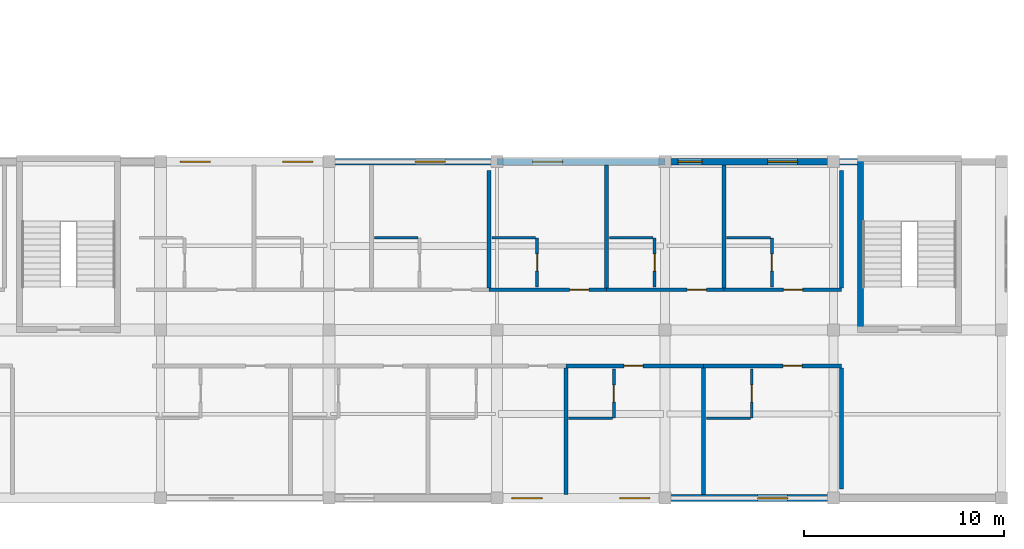
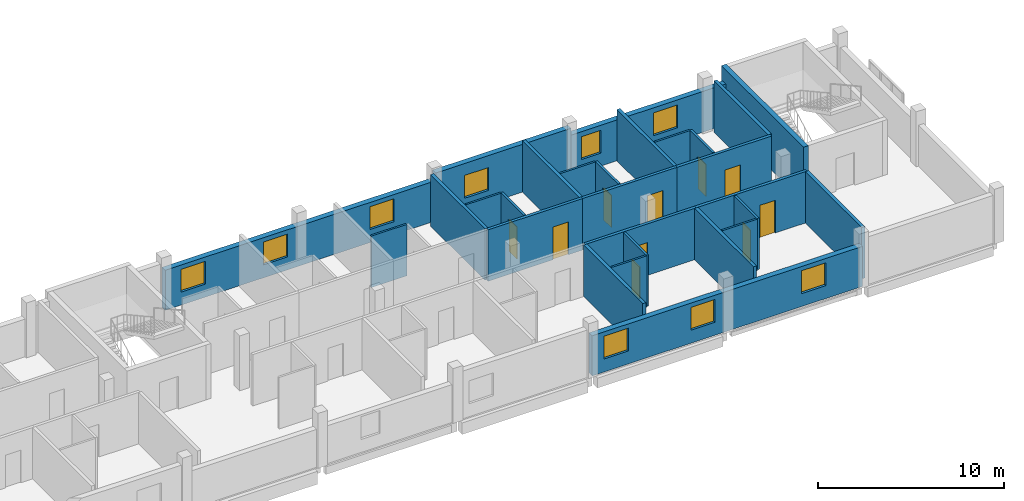
# One storey, part 19 of 24: 28 walls, 10 doors, 9 windows, 19 openings.
"""IFC4 building model written with IfcOpenShell, lengths in metres."""

import ifcopenshell
import ifcopenshell.guid

model = None  # the IFC model being written
_history = None  # IfcOwnerHistory: only IFC2X3 demands one
_inside = {}  # id of a spatial element -> (the spatial element, [elements in it])
_under = {}  # id of a project, library or spatial element -> (it, [spatial elements below it])
_declared = {}  # id of a project -> (the project, [libraries it declares])
_typed = {}  # id of a type object -> (the type object, [elements of that type])
_made_of = {}  # id of a material, layer set ... -> (it, [elements and type objects made of it])


def new_model(schema):
    """Start an empty IFC model of exactly this schema.

    Asked for "IFC4X3", IfcOpenShell would pick the latest addendum, in which some entities
    have other attributes; the version numbers below select the first issue.
    IFC2X3 requires an IfcOwnerHistory on every rooted entity: one is made here for all.
    """
    global model, _history
    if schema == "IFC4X3":
        model = ifcopenshell.file(schema_version=(4, 3, 0, 0))
    else:
        model = ifcopenshell.file(schema=schema)
    _inside.clear()
    _under.clear()
    _declared.clear()
    _typed.clear()
    _made_of.clear()
    _history = None
    if model.schema == "IFC2X3":
        org = make("IfcOrganization", Name="unknown")
        user = make(
            "IfcPersonAndOrganization",
            ThePerson=make("IfcPerson", FamilyName="unknown"),
            TheOrganization=org,
        )
        app = make(
            "IfcApplication",
            ApplicationDeveloper=org,
            Version="unknown",
            ApplicationFullName="unknown",
            ApplicationIdentifier="unknown",
        )
        _history = make(
            "IfcOwnerHistory",
            OwningUser=user,
            OwningApplication=app,
            ChangeAction="ADDED",
            CreationDate=0,
        )
    return model


def make(cls, **values):
    """One entity of the class cls with the attributes given. An attribute that is None is left unset."""
    return model.create_entity(
        cls, **{name: value for name, value in values.items() if value is not None}
    )


def rooted(cls, **values):
    """An entity with a GlobalId (a new one), such as an element, a storey or a relation."""
    return make(cls, GlobalId=ifcopenshell.guid.new(), OwnerHistory=_history, **values)


def si_unit(unit_type, name, prefix=None):
    """IfcSIUnit, for example si_unit("LENGTHUNIT", "METRE", prefix="MILLI")."""
    return make("IfcSIUnit", UnitType=unit_type, Prefix=prefix, Name=name)


def derived_unit(unit_type, elements):
    """IfcDerivedUnit: a product of units, each with its exponent."""
    return make(
        "IfcDerivedUnit",
        Elements=[
            make("IfcDerivedUnitElement", Unit=unit, Exponent=power)
            for unit, power in elements
        ],
        UnitType=unit_type,
    )


def assignment(units):
    """IfcUnitAssignment: the units of a project."""
    return None if units is None else make("IfcUnitAssignment", Units=units)


def point(xyz):
    """IfcCartesianPoint."""
    return None if xyz is None else make("IfcCartesianPoint", Coordinates=xyz)


def direction(xyz):
    """IfcDirection."""
    return None if xyz is None else make("IfcDirection", DirectionRatios=xyz)


def frame(location, z_axis=None, x_axis=None):
    """IfcAxis2Placement3D, a coordinate frame: its origin and axes. An axis left out is left unset."""
    return make(
        "IfcAxis2Placement3D",
        Location=point(location),
        Axis=direction(z_axis),
        RefDirection=direction(x_axis),
    )


def frame_2d(location, x_axis=None):
    """IfcAxis2Placement2D, a coordinate frame in the plane: its origin and x axis."""
    return make(
        "IfcAxis2Placement2D", Location=point(location), RefDirection=direction(x_axis)
    )


def origin():
    """The frame at (0, 0, 0) with its axes left unset."""
    return frame((0.0, 0.0, 0.0))


def place(relative_to, where):
    """IfcLocalPlacement: puts the frame where relative to a parent placement (None: the world)."""
    return make(
        "IfcLocalPlacement", PlacementRelTo=relative_to, RelativePlacement=where
    )


def context(
    kind, dimensions, precision=None, world=None, true_north=None, identifier=None
):
    """IfcGeometricRepresentationContext, for example the 3D "Model" context."""
    return make(
        "IfcGeometricRepresentationContext",
        ContextIdentifier=identifier,
        ContextType=kind,
        CoordinateSpaceDimension=dimensions,
        Precision=precision,
        WorldCoordinateSystem=world,
        TrueNorth=true_north,
    )


def subcontext(parent, identifier, kind, view, scale=None):
    """IfcGeometricRepresentationSubContext, for example "Body" below "Model"."""
    return make(
        "IfcGeometricRepresentationSubContext",
        ContextIdentifier=identifier,
        ContextType=kind,
        ParentContext=parent,
        TargetScale=scale,
        TargetView=view,
    )


def project(units=None, contexts=None):
    """IfcProject with its units and contexts."""
    return rooted(
        "IfcProject",
        Name="project",
        RepresentationContexts=contexts,
        UnitsInContext=assignment(units),
    )


def spatial(cls, under=None, at=None, **own):
    """A site, building, storey or space (cls), placed at a placement, below another one or the project."""
    s = rooted(cls, ObjectPlacement=at, **own)
    if under is not None:
        _under.setdefault(under.id(), (under, []))[1].append(s)
    return s


def profile(cls, at=None, kind="AREA", **sizes):
    """A parametric profile (cls). Its sizes go by their IFC names, for example OverallWidth=200.0."""
    return make(cls, ProfileType=kind, Position=at, **sizes)


def rectangle(**sizes):
    """IfcRectangleProfileDef."""
    return profile("IfcRectangleProfileDef", **sizes)


def extrude(swept, where, along, depth):
    """IfcExtrudedAreaSolid: the profile swept, set in the frame where, extruded along a direction by depth."""
    return make(
        "IfcExtrudedAreaSolid",
        SweptArea=swept,
        Position=where,
        ExtrudedDirection=direction(along),
        Depth=depth,
    )


def shape(context_of_items, identifier, shape_type, items):
    """IfcShapeRepresentation: the items that make up one representation, for example the "Body"."""
    return make(
        "IfcShapeRepresentation",
        ContextOfItems=context_of_items,
        RepresentationIdentifier=identifier,
        RepresentationType=shape_type,
        Items=items,
    )


def material(Name=None, Category=None):
    """IfcMaterial."""
    return make("IfcMaterial", Name=Name, Category=Category)


def layer(
    of_material, thickness, ventilated=None, Name=None, Category=None, Priority=None
):
    """IfcMaterialLayer: one layer of a wall or slab, of a material (None: an air gap)."""
    return make(
        "IfcMaterialLayer",
        Material=of_material,
        LayerThickness=thickness,
        IsVentilated=ventilated,
        Name=Name,
        Category=Category,
        Priority=Priority,
    )


def layer_set(layers, Name=None):
    """IfcMaterialLayerSet."""
    return make("IfcMaterialLayerSet", MaterialLayers=layers, LayerSetName=Name)


def made_of(thing, what):
    """Note that an element or type object is made of a material, layer set ...; save() writes the relation."""
    if what is not None:
        _made_of.setdefault(what.id(), (what, []))[1].append(thing)
    return thing


def type_object(cls, material=None, **own):
    """A type object (cls), such as IfcWallType, which elements share."""
    return made_of(rooted(cls, **own), material)


def element(
    cls,
    number,
    at=None,
    inside=None,
    cuts=None,
    type_object=None,
    material=None,
    context=None,
    identifier="Body",
    shape_type=None,
    held_by="IfcProductDefinitionShape",
    body=None,
    shapes=None,
    **own,
):
    """One element of the class cls, such as IfcWall. Its Tag is "e" and its number.

    at: its placement. inside: the storey or other place that contains it. cuts: it is an
    opening in that element (IfcRelVoidsElement). A single representation is given by context,
    identifier, shape_type and body (its items); several are given by shapes. held_by: the class
    of the entity that holds the representations. save() writes the other relations.
    """
    e = rooted(cls, Tag="e%d" % number, ObjectPlacement=at, **own)
    if body is not None:
        shapes = [shape(context, identifier, shape_type, body)]
    if shapes is not None:
        e.Representation = make(held_by, Representations=shapes)
    if inside is not None:
        _inside.setdefault(inside.id(), (inside, []))[1].append(e)
    if cuts is not None:
        rooted(
            "IfcRelVoidsElement", RelatingBuildingElement=cuts, RelatedOpeningElement=e
        )
    if type_object is not None:
        _typed.setdefault(type_object.id(), (type_object, []))[1].append(e)
    return made_of(e, material)


def fill(opening, filler):
    """IfcRelFillsElement: the door or window that sits in an opening."""
    return rooted(
        "IfcRelFillsElement",
        RelatingOpeningElement=opening,
        RelatedBuildingElement=filler,
    )


def aggregate(whole, parts):
    """IfcRelAggregates: a whole, such as a stair, and the parts it consists of."""
    return rooted("IfcRelAggregates", RelatingObject=whole, RelatedObjects=parts)


def save(model, path):
    """Write the relations noted so far, then the file.

    IfcRelAggregates (storeys below a building ...), IfcRelContainedInSpatialStructure (elements
    in a storey), IfcRelDefinesByType, IfcRelAssociatesMaterial and IfcRelDeclares: one each for
    every whole, place, type object, material and project.
    """
    for whole, parts in _under.values():
        aggregate(whole, parts)
    for where, things in _inside.values():
        rooted(
            "IfcRelContainedInSpatialStructure",
            RelatedElements=things,
            RelatingStructure=where,
        )
    for kind, things in _typed.values():
        rooted("IfcRelDefinesByType", RelatedObjects=things, RelatingType=kind)
    for what, things in _made_of.values():
        rooted("IfcRelAssociatesMaterial", RelatedObjects=things, RelatingMaterial=what)
    for by, libraries in _declared.values():
        rooted("IfcRelDeclares", RelatingContext=by, RelatedDefinitions=libraries)
    model.write(path)


model = new_model("IFC4")

# Units and contexts
model_context = context("Model", 3, precision=1e-05, world=origin(), true_north=direction((0.0, 1.0)))
body_context = subcontext(model_context, "Body", "Model", "MODEL_VIEW")
ifc_project = project(units=[si_unit("LENGTHUNIT", "METRE"), si_unit("AREAUNIT", "SQUARE_METRE"), si_unit("VOLUMEUNIT", "CUBIC_METRE"), si_unit("PLANEANGLEUNIT", "RADIAN"), si_unit("MASSUNIT", "GRAM", prefix="KILO"), derived_unit("THERMALTRANSMITTANCEUNIT", [(si_unit("POWERUNIT", "WATT"), 1), (si_unit("LENGTHUNIT", "METRE"), -2), (si_unit("THERMODYNAMICTEMPERATUREUNIT", "KELVIN"), -1)])], contexts=[model_context])

# Site, building, storey
site_placement = place(None, origin())
site = spatial("IfcSite", under=ifc_project, at=site_placement, CompositionType="ELEMENT")
building_placement = place(site_placement, origin())
building = spatial("IfcBuilding", under=site, at=building_placement, Name="Barrovel Congress Hotel", CompositionType="ELEMENT")
storey_placement = place(building_placement, frame((0.0, 0.0, 29.10009765625)))
storey = spatial("IfcBuildingStorey", under=building, at=storey_placement, Name="L07", CompositionType="ELEMENT", Elevation=29.10009765625)

# Wall, openings, windows
ifc_material_1 = material(Name="Fired Clay Brick Masonry", Category="masonry")
ifc_layer_1 = layer(ifc_material_1, 0.340087890625)
ifc_layer_set_1 = layer_set([ifc_layer_1], Name="Fired Clay Brick Masonry")
wall_type_1 = type_object("IfcWallType", Name="EW-BRK340", PredefinedType="STANDARD", material=ifc_layer_set_1)
wall_1_placement = place(storey_placement, frame((126.0, 21.0, 0.0), z_axis=(0.0, 0.0, 1.0), x_axis=(-1.0, 0.0, 0.0)))
wall_1 = element("IfcWall", 1, at=wall_1_placement, inside=storey, type_object=wall_type_1, Name="EW:L07:HS-NE-2", PredefinedType="STANDARD", context=body_context, shape_type="SweptSolid", body=[
    extrude(rectangle(XDim=16.800048828125, YDim=0.340087890625, at=frame_2d((8.39990234375, 0.0))), origin(), (0.0, 0.0, 1.0), 2.6298828125),
])
opening_1_placement = place(wall_1_placement, frame((14.316650390625, 0.0, 0.85009765625)))
opening_1 = element("IfcOpeningElement", 2, at=opening_1_placement, cuts=wall_1, Name="Opening WN-07", PredefinedType="OPENING", context=body_context, shape_type="SweptSolid", body=[
    extrude(rectangle(XDim=1.5, YDim=1.5, at=frame_2d((0.75, 0.75))), frame((0.0, 0.18017578125, 0.0), z_axis=(0.0, -1.0, 0.0), x_axis=(1.0, 0.0, 0.0)), (0.0, 0.0, 1.0), 0.360107421875),
])
opening_2_placement = place(wall_1_placement, frame((9.199951171875, 0.0, 0.85009765625)))
opening_2 = element("IfcOpeningElement", 3, at=opening_2_placement, cuts=wall_1, Name="Opening WN-07", PredefinedType="OPENING", context=body_context, shape_type="SweptSolid", body=[
    extrude(rectangle(XDim=1.5, YDim=1.5, at=frame_2d((0.75, 0.75))), frame((0.0, 0.18017578125, 0.0), z_axis=(0.0, -1.0, 0.0), x_axis=(1.0, 0.0, 0.0)), (0.0, 0.0, 1.0), 0.360107421875),
])
opening_3_placement = place(wall_1_placement, frame((2.583251953125, 0.0, 0.85009765625)))
opening_3 = element("IfcOpeningElement", 4, at=opening_3_placement, cuts=wall_1, Name="Opening WN-07", PredefinedType="OPENING", context=body_context, shape_type="SweptSolid", body=[
    extrude(rectangle(XDim=1.5, YDim=1.5, at=frame_2d((0.75, 0.75))), frame((0.0, 0.18017578125, 0.0), z_axis=(0.0, -1.0, 0.0), x_axis=(1.0, 0.0, 0.0)), (0.0, 0.0, 1.0), 0.360107421875),
])
ifc_material_2 = material(Name="Double Low-E Insulated Glazing", Category="glass")
window_type_1 = type_object("IfcWindowType", Name="WIN-WN-07", PartitioningType="SINGLE_PANEL", PredefinedType="WINDOW", material=ifc_material_2)
window_1_placement = place(opening_1_placement, origin())
window_1 = element("IfcWindow", 5, at=window_1_placement, inside=storey, type_object=window_type_1, Name="WIN:L07:U22", OverallHeight=1.5, OverallWidth=1.5, PartitioningType="SINGLE_PANEL", PredefinedType="WINDOW", context=body_context, shape_type="SweptSolid", body=[
    extrude(rectangle(XDim=1.5, YDim=1.5, at=frame_2d((0.75, 0.75))), frame((0.0, 0.030029296875, 0.0), z_axis=(0.0, -1.0, 0.0), x_axis=(1.0, 0.0, 0.0)), (0.0, 0.0, 1.0), 0.06005859375),
])
fill(opening_1, window_1)
window_2_placement = place(opening_2_placement, origin())
window_2 = element("IfcWindow", 6, at=window_2_placement, inside=storey, type_object=window_type_1, Name="WIN:L07:U23", OverallHeight=1.5, OverallWidth=1.5, PartitioningType="SINGLE_PANEL", PredefinedType="WINDOW", context=body_context, shape_type="SweptSolid", body=[
    extrude(rectangle(XDim=1.5, YDim=1.5, at=frame_2d((0.75, 0.75))), frame((0.0, 0.030029296875, 0.0), z_axis=(0.0, -1.0, 0.0), x_axis=(1.0, 0.0, 0.0)), (0.0, 0.0, 1.0), 0.06005859375),
])
fill(opening_2, window_2)
window_3_placement = place(opening_3_placement, origin())
window_3 = element("IfcWindow", 7, at=window_3_placement, inside=storey, type_object=window_type_1, Name="WIN:L07:U24", OverallHeight=1.5, OverallWidth=1.5, PartitioningType="SINGLE_PANEL", PredefinedType="WINDOW", context=body_context, shape_type="SweptSolid", body=[
    extrude(rectangle(XDim=1.5, YDim=1.5, at=frame_2d((0.75, 0.75))), frame((0.0, 0.030029296875, 0.0), z_axis=(0.0, -1.0, 0.0), x_axis=(1.0, 0.0, 0.0)), (0.0, 0.0, 1.0), 0.06005859375),
])
fill(opening_3, window_3)

wall_2_placement = place(storey_placement, frame((126.0, 4.199951171875, 0.0), z_axis=(0.0, 0.0, 1.0), x_axis=(1.0, 0.0, 0.0)))
wall_2 = element("IfcWall", 8, at=wall_2_placement, inside=storey, type_object=wall_type_1, Name="EW:L07:HS-S:P12", PredefinedType="STANDARD", context=body_context, shape_type="SweptSolid", body=[
    extrude(rectangle(XDim=16.800048828125, YDim=0.340087890625, at=frame_2d((8.39990234375, 0.0))), origin(), (0.0, 0.0, 1.0), 2.6298828125),
])
opening_4_placement = place(wall_2_placement, frame((0.75, 0.0, 0.85009765625)))
opening_4 = element("IfcOpeningElement", 9, at=opening_4_placement, cuts=wall_2, Name="Opening WN-07", PredefinedType="OPENING", context=body_context, shape_type="SweptSolid", body=[
    extrude(rectangle(XDim=1.5, YDim=1.5, at=frame_2d((0.75, 0.75))), frame((0.0, 0.18017578125, 0.0), z_axis=(0.0, -1.0, 0.0), x_axis=(1.0, 0.0, 0.0)), (0.0, 0.0, 1.0), 0.360107421875),
])
opening_5_placement = place(wall_2_placement, frame((6.1298828125, 0.0, 0.85009765625)))
opening_5 = element("IfcOpeningElement", 10, at=opening_5_placement, cuts=wall_2, Name="Opening WN-07", PredefinedType="OPENING", context=body_context, shape_type="SweptSolid", body=[
    extrude(rectangle(XDim=1.5, YDim=1.5, at=frame_2d((0.75, 0.75))), frame((0.0, 0.18017578125, 0.0), z_axis=(0.0, -1.0, 0.0), x_axis=(1.0, 0.0, 0.0)), (0.0, 0.0, 1.0), 0.360107421875),
])
opening_6_placement = place(wall_2_placement, frame((13.010009765625, 0.0, 0.85009765625)))
opening_6 = element("IfcOpeningElement", 11, at=opening_6_placement, cuts=wall_2, Name="Opening WN-07", PredefinedType="OPENING", context=body_context, shape_type="SweptSolid", body=[
    extrude(rectangle(XDim=1.5, YDim=1.5, at=frame_2d((0.75, 0.75))), frame((0.0, 0.18017578125, 0.0), z_axis=(0.0, -1.0, 0.0), x_axis=(1.0, 0.0, 0.0)), (0.0, 0.0, 1.0), 0.360107421875),
])
window_4_placement = place(opening_4_placement, origin())
window_4 = element("IfcWindow", 12, at=window_4_placement, inside=storey, type_object=window_type_1, Name="WIN:L07:U16", OverallHeight=1.5, OverallWidth=1.5, PartitioningType="SINGLE_PANEL", PredefinedType="WINDOW", context=body_context, shape_type="SweptSolid", body=[
    extrude(rectangle(XDim=1.5, YDim=1.5, at=frame_2d((0.75, 0.75))), frame((0.0, 0.030029296875, 0.0), z_axis=(0.0, -1.0, 0.0), x_axis=(1.0, 0.0, 0.0)), (0.0, 0.0, 1.0), 0.06005859375),
])
fill(opening_4, window_4)
window_5_placement = place(opening_5_placement, origin())
window_5 = element("IfcWindow", 13, at=window_5_placement, inside=storey, type_object=window_type_1, Name="WIN:L07:U17", OverallHeight=1.5, OverallWidth=1.5, PartitioningType="SINGLE_PANEL", PredefinedType="WINDOW", context=body_context, shape_type="SweptSolid", body=[
    extrude(rectangle(XDim=1.5, YDim=1.5, at=frame_2d((0.75, 0.75))), frame((0.0, 0.030029296875, 0.0), z_axis=(0.0, -1.0, 0.0), x_axis=(1.0, 0.0, 0.0)), (0.0, 0.0, 1.0), 0.06005859375),
])
fill(opening_5, window_5)
window_6_placement = place(opening_6_placement, origin())
window_6 = element("IfcWindow", 14, at=window_6_placement, inside=storey, type_object=window_type_1, Name="WIN:L07:U18", OverallHeight=1.5, OverallWidth=1.5, PartitioningType="SINGLE_PANEL", PredefinedType="WINDOW", context=body_context, shape_type="SweptSolid", body=[
    extrude(rectangle(XDim=1.5, YDim=1.5, at=frame_2d((0.75, 0.75))), frame((0.0, 0.030029296875, 0.0), z_axis=(0.0, -1.0, 0.0), x_axis=(1.0, 0.0, 0.0)), (0.0, 0.0, 1.0), 0.06005859375),
])
fill(opening_6, window_6)

wall_3_placement = place(storey_placement, frame((144.0, 21.0, 0.0), z_axis=(0.0, 0.0, 1.0), x_axis=(-1.0, 0.0, 0.0)))
wall_3 = element("IfcWall", 15, at=wall_3_placement, inside=storey, type_object=wall_type_1, Name="EW:L07:HS-NE-2:P01", PredefinedType="STANDARD", context=body_context, shape_type="SweptSolid", body=[
    extrude(rectangle(XDim=9.60009765625, YDim=0.340087890625, at=frame_2d((4.800048828125, 0.0))), origin(), (0.0, 0.0, 1.0), 2.679931640625),
])
opening_7_placement = place(wall_3_placement, frame((7.75, 0.0, 0.85009765625)))
opening_7 = element("IfcOpeningElement", 16, at=opening_7_placement, cuts=wall_3, Name="Opening WN-06", PredefinedType="OPENING", context=body_context, shape_type="SweptSolid", body=[
    extrude(rectangle(XDim=1.199951171875, YDim=1.5, at=frame_2d((0.60009765625, 0.75))), frame((0.0, 0.18017578125, 0.0), z_axis=(0.0, -1.0, 0.0), x_axis=(1.0, 0.0, 0.0)), (0.0, 0.0, 1.0), 0.360107421875),
])
opening_8_placement = place(wall_3_placement, frame((2.9833984375, 0.0, 0.85009765625)))
opening_8 = element("IfcOpeningElement", 17, at=opening_8_placement, cuts=wall_3, Name="Opening WN-07", PredefinedType="OPENING", context=body_context, shape_type="SweptSolid", body=[
    extrude(rectangle(XDim=1.5, YDim=1.5, at=frame_2d((0.75, 0.75))), frame((0.0, 0.18017578125, 0.0), z_axis=(0.0, -1.0, 0.0), x_axis=(1.0, 0.0, 0.0)), (0.0, 0.0, 1.0), 0.360107421875),
])
window_type_2 = type_object("IfcWindowType", Name="WIN-WN-06", PartitioningType="SINGLE_PANEL", PredefinedType="WINDOW", material=ifc_material_2)
window_7_placement = place(opening_7_placement, origin())
window_7 = element("IfcWindow", 18, at=window_7_placement, inside=storey, type_object=window_type_2, Name="WIN:L07:U26", OverallHeight=1.5, OverallWidth=1.199951171875, PartitioningType="SINGLE_PANEL", PredefinedType="WINDOW", context=body_context, shape_type="SweptSolid", body=[
    extrude(rectangle(XDim=1.199951171875, YDim=1.5, at=frame_2d((0.60009765625, 0.75))), frame((0.0, 0.030029296875, 0.0), z_axis=(0.0, -1.0, 0.0), x_axis=(1.0, 0.0, 0.0)), (0.0, 0.0, 1.0), 0.06005859375),
])
fill(opening_7, window_7)
window_8_placement = place(opening_8_placement, origin())
window_8 = element("IfcWindow", 19, at=window_8_placement, inside=storey, type_object=window_type_1, Name="WIN:L07:U27", OverallHeight=1.5, OverallWidth=1.5, PartitioningType="SINGLE_PANEL", PredefinedType="WINDOW", context=body_context, shape_type="SweptSolid", body=[
    extrude(rectangle(XDim=1.5, YDim=1.5, at=frame_2d((0.75, 0.75))), frame((0.0, 0.030029296875, 0.0), z_axis=(0.0, -1.0, 0.0), x_axis=(1.0, 0.0, 0.0)), (0.0, 0.0, 1.0), 0.06005859375),
])
fill(opening_8, window_8)

# Wall, opening, window
wall_4_placement = place(storey_placement, frame((134.39990234375, 21.0, 0.0), z_axis=(0.0, 0.0, 1.0), x_axis=(-1.0, 0.0, 0.0)))
wall_4 = element("IfcWall", 20, at=wall_4_placement, inside=storey, type_object=wall_type_1, Name="EW:L07:HS-NE-2:P02", PredefinedType="STANDARD", context=body_context, shape_type="SweptSolid", body=[
    extrude(rectangle(XDim=8.39990234375, YDim=0.340087890625, at=frame_2d((4.199951171875, 0.0))), origin(), (0.0, 0.0, 1.0), 3.1328125),
])
opening_9_placement = place(wall_4_placement, frame((5.11669921875, 0.0, 0.85009765625)))
opening_9 = element("IfcOpeningElement", 21, at=opening_9_placement, cuts=wall_4, Name="Opening WN-07", PredefinedType="OPENING", context=body_context, shape_type="SweptSolid", body=[
    extrude(rectangle(XDim=1.5, YDim=1.5, at=frame_2d((0.75, 0.75))), frame((0.0, 0.18017578125, 0.0), z_axis=(0.0, -1.0, 0.0), x_axis=(1.0, 0.0, 0.0)), (0.0, 0.0, 1.0), 0.360107421875),
])
window_9_placement = place(opening_9_placement, origin())
window_9 = element("IfcWindow", 22, at=window_9_placement, inside=storey, type_object=window_type_1, Name="WIN:L07:U25", OverallHeight=1.5, OverallWidth=1.5, PartitioningType="SINGLE_PANEL", PredefinedType="WINDOW", context=body_context, shape_type="SweptSolid", body=[
    extrude(rectangle(XDim=1.5, YDim=1.5, at=frame_2d((0.75, 0.75))), frame((0.0, 0.030029296875, 0.0), z_axis=(0.0, -1.0, 0.0), x_axis=(1.0, 0.0, 0.0)), (0.0, 0.0, 1.0), 0.06005859375),
])
fill(opening_9, window_9)

# Wall, opening, door
ifc_material_3 = material(Name="Gypsum Acoustic Stud", Category="gypsum")
ifc_layer_2 = layer(ifc_material_3, 0.179931640625)
ifc_layer_set_2 = layer_set([ifc_layer_2], Name="Gypsum Acoustic Stud")
wall_type_2 = type_object("IfcWallType", Name="PW-ACU-180", PredefinedType="PARTITIONING", material=ifc_layer_set_2)
wall_5_placement = place(storey_placement, frame((129.43994140625, 10.800048828125, 0.0), z_axis=(0.0, 0.0, 1.0), x_axis=(1.0, 0.0, 0.0)))
wall_5 = element("IfcWall", 23, at=wall_5_placement, inside=storey, type_object=wall_type_2, Name="PW:L07:U17:COR", PredefinedType="PARTITIONING", context=body_context, shape_type="SweptSolid", body=[
    extrude(rectangle(XDim=6.880126953125, YDim=0.179931640625, at=frame_2d((3.43994140625, 0.0))), origin(), (0.0, 0.0, 1.0), 3.375),
])
opening_10_placement = place(wall_5_placement, frame((2.902587890625, 0.0, 0.0)))
opening_10 = element("IfcOpeningElement", 24, at=opening_10_placement, cuts=wall_5, Name="Opening ID-HTL", PredefinedType="OPENING", context=body_context, shape_type="SweptSolid", body=[
    extrude(rectangle(XDim=0.9599609375, YDim=2.14990234375, at=frame_2d((0.47998046875, 1.074951171875))), frame((0.0, 0.10009765625, 0.0), z_axis=(0.0, -1.0, 0.0), x_axis=(1.0, 0.0, 0.0)), (0.0, 0.0, 1.0), 0.199951171875),
])
ifc_material_4 = material(Name="Solid Oak Acoustic Timber Door", Category="wood")
door_type_1 = type_object("IfcDoorType", Name="IDR-ID-HTL", OperationType="NOTDEFINED", PredefinedType="DOOR", material=ifc_material_4)
door_1_placement = place(opening_10_placement, origin())
door_1 = element("IfcDoor", 25, at=door_1_placement, inside=storey, type_object=door_type_1, Name="DR:L07:U17:ENT", OperationType="SINGLE_SWING_RIGHT", OverallHeight=2.14990234375, OverallWidth=0.9599609375, PredefinedType="DOOR", context=body_context, shape_type="SweptSolid", body=[
    extrude(rectangle(XDim=0.9599609375, YDim=2.14990234375, at=frame_2d((0.47998046875, 1.074951171875))), frame((0.0, 0.02490234375, 0.0), z_axis=(0.0, -1.0, 0.0), x_axis=(1.0, 0.0, 0.0)), (0.0, 0.0, 1.0), 0.050048828125),
])
fill(opening_10, door_1)

wall_6_placement = place(storey_placement, frame((136.320068359375, 10.800048828125, 0.0), z_axis=(0.0, 0.0, 1.0), x_axis=(1.0, 0.0, 0.0)))
wall_6 = element("IfcWall", 26, at=wall_6_placement, inside=storey, type_object=wall_type_2, Name="PW:L07:U18:COR", PredefinedType="PARTITIONING", context=body_context, shape_type="SweptSolid", body=[
    extrude(rectangle(XDim=6.8798828125, YDim=0.179931640625, at=frame_2d((3.43994140625, 0.0))), origin(), (0.0, 0.0, 1.0), 3.375),
])
opening_11_placement = place(wall_6_placement, frame((3.95263671875, 0.0, 0.0)))
opening_11 = element("IfcOpeningElement", 27, at=opening_11_placement, cuts=wall_6, Name="Opening ID-HTL", PredefinedType="OPENING", context=body_context, shape_type="SweptSolid", body=[
    extrude(rectangle(XDim=0.9599609375, YDim=2.14990234375, at=frame_2d((0.47998046875, 1.074951171875))), frame((0.0, 0.10009765625, 0.0), z_axis=(0.0, -1.0, 0.0), x_axis=(1.0, 0.0, 0.0)), (0.0, 0.0, 1.0), 0.199951171875),
])
door_2_placement = place(opening_11_placement, origin())
door_2 = element("IfcDoor", 28, at=door_2_placement, inside=storey, type_object=door_type_1, Name="DR:L07:U18:ENT", OperationType="SINGLE_SWING_RIGHT", OverallHeight=2.14990234375, OverallWidth=0.9599609375, PredefinedType="DOOR", context=body_context, shape_type="SweptSolid", body=[
    extrude(rectangle(XDim=0.9599609375, YDim=2.14990234375, at=frame_2d((0.47998046875, 1.074951171875))), frame((0.0, 0.02490234375, 0.0), z_axis=(0.0, -1.0, 0.0), x_axis=(1.0, 0.0, 0.0)), (0.0, 0.0, 1.0), 0.050048828125),
])
fill(opening_11, door_2)

wall_7_placement = place(storey_placement, frame((125.60009765625, 14.60009765625, 0.0), z_axis=(0.0, 0.0, 1.0), x_axis=(1.0, 0.0, 0.0)))
wall_7 = element("IfcWall", 29, at=wall_7_placement, inside=storey, type_object=wall_type_2, Name="PW:L07:U25:COR", PredefinedType="PARTITIONING", context=body_context, shape_type="SweptSolid", body=[
    extrude(rectangle(XDim=5.86669921875, YDim=0.179931640625, at=frame_2d((2.933349609375, 0.0))), origin(), (0.0, 0.0, 1.0), 3.375),
])
opening_12_placement = place(wall_7_placement, frame((4.0244140625, 0.0, 0.0)))
opening_12 = element("IfcOpeningElement", 30, at=opening_12_placement, cuts=wall_7, Name="Opening ID-HTL", PredefinedType="OPENING", context=body_context, shape_type="SweptSolid", body=[
    extrude(rectangle(XDim=0.9599609375, YDim=2.14990234375, at=frame_2d((0.47998046875, 1.074951171875))), frame((0.0, 0.10009765625, 0.0), z_axis=(0.0, -1.0, 0.0), x_axis=(1.0, 0.0, 0.0)), (0.0, 0.0, 1.0), 0.199951171875),
])
door_3_placement = place(opening_12_placement, origin())
door_3 = element("IfcDoor", 31, at=door_3_placement, inside=storey, type_object=door_type_1, Name="DR:L07:U25:ENT", OperationType="SINGLE_SWING_RIGHT", OverallHeight=2.14990234375, OverallWidth=0.9599609375, PredefinedType="DOOR", context=body_context, shape_type="SweptSolid", body=[
    extrude(rectangle(XDim=0.9599609375, YDim=2.14990234375, at=frame_2d((0.47998046875, 1.074951171875))), frame((0.0, 0.02490234375, 0.0), z_axis=(0.0, -1.0, 0.0), x_axis=(1.0, 0.0, 0.0)), (0.0, 0.0, 1.0), 0.050048828125),
])
fill(opening_12, door_3)

wall_8_placement = place(storey_placement, frame((131.466796875, 14.60009765625, 0.0), z_axis=(0.0, 0.0, 1.0), x_axis=(1.0, 0.0, 0.0)))
wall_8 = element("IfcWall", 32, at=wall_8_placement, inside=storey, type_object=wall_type_2, Name="PW:L07:U26:COR", PredefinedType="PARTITIONING", context=body_context, shape_type="SweptSolid", body=[
    extrude(rectangle(XDim=5.866455078125, YDim=0.179931640625, at=frame_2d((2.93310546875, 0.0))), origin(), (0.0, 0.0, 1.0), 3.375),
])
opening_13_placement = place(wall_8_placement, frame((4.0244140625, 0.0, 0.0)))
opening_13 = element("IfcOpeningElement", 33, at=opening_13_placement, cuts=wall_8, Name="Opening ID-HTL", PredefinedType="OPENING", context=body_context, shape_type="SweptSolid", body=[
    extrude(rectangle(XDim=0.9599609375, YDim=2.14990234375, at=frame_2d((0.47998046875, 1.074951171875))), frame((0.0, 0.10009765625, 0.0), z_axis=(0.0, -1.0, 0.0), x_axis=(1.0, 0.0, 0.0)), (0.0, 0.0, 1.0), 0.199951171875),
])
door_4_placement = place(opening_13_placement, origin())
door_4 = element("IfcDoor", 34, at=door_4_placement, inside=storey, type_object=door_type_1, Name="DR:L07:U26:ENT", OperationType="SINGLE_SWING_RIGHT", OverallHeight=2.14990234375, OverallWidth=0.9599609375, PredefinedType="DOOR", context=body_context, shape_type="SweptSolid", body=[
    extrude(rectangle(XDim=0.9599609375, YDim=2.14990234375, at=frame_2d((0.47998046875, 1.074951171875))), frame((0.0, 0.02490234375, 0.0), z_axis=(0.0, -1.0, 0.0), x_axis=(1.0, 0.0, 0.0)), (0.0, 0.0, 1.0), 0.050048828125),
])
fill(opening_13, door_4)

wall_9_placement = place(storey_placement, frame((137.333251953125, 14.60009765625, 0.0), z_axis=(0.0, 0.0, 1.0), x_axis=(1.0, 0.0, 0.0)))
wall_9 = element("IfcWall", 35, at=wall_9_placement, inside=storey, type_object=wall_type_2, Name="PW:L07:U27:COR", PredefinedType="PARTITIONING", context=body_context, shape_type="SweptSolid", body=[
    extrude(rectangle(XDim=5.86669921875, YDim=0.179931640625, at=frame_2d((2.933349609375, 0.0))), origin(), (0.0, 0.0, 1.0), 3.375),
])
opening_14_placement = place(wall_9_placement, frame((2.974365234375, 0.0, 0.0)))
opening_14 = element("IfcOpeningElement", 36, at=opening_14_placement, cuts=wall_9, Name="Opening ID-HTL", PredefinedType="OPENING", context=body_context, shape_type="SweptSolid", body=[
    extrude(rectangle(XDim=0.9599609375, YDim=2.14990234375, at=frame_2d((0.47998046875, 1.074951171875))), frame((0.0, 0.10009765625, 0.0), z_axis=(0.0, -1.0, 0.0), x_axis=(1.0, 0.0, 0.0)), (0.0, 0.0, 1.0), 0.199951171875),
])
door_5_placement = place(opening_14_placement, origin())
door_5 = element("IfcDoor", 37, at=door_5_placement, inside=storey, type_object=door_type_1, Name="DR:L07:U27:ENT", OperationType="SINGLE_SWING_RIGHT", OverallHeight=2.14990234375, OverallWidth=0.9599609375, PredefinedType="DOOR", context=body_context, shape_type="SweptSolid", body=[
    extrude(rectangle(XDim=0.9599609375, YDim=2.14990234375, at=frame_2d((0.47998046875, 1.074951171875))), frame((0.0, 0.02490234375, 0.0), z_axis=(0.0, -1.0, 0.0), x_axis=(1.0, 0.0, 0.0)), (0.0, 0.0, 1.0), 0.050048828125),
])
fill(opening_14, door_5)

# Walls
ifc_layer_3 = layer(ifc_material_3, 0.1201171875)
ifc_layer_set_3 = layer_set([ifc_layer_3], Name="Gypsum Acoustic Stud")
wall_type_3 = type_object("IfcWallType", Name="PW-INT-120", PredefinedType="PARTITIONING", material=ifc_layer_set_3)
for number, where, z_axis, x_axis, name in (
    (38, (129.580078125, 8.199951171875, 0.0), (0.0, 0.0, 1.0), (1.0, 0.0, 0.0), "PW:L07:U17:B2"),
    (39, (136.4599609375, 8.199951171875, 0.0), (0.0, 0.0, 1.0), (1.0, 0.0, 0.0), "PW:L07:U18:B2"),
    (40, (119.873291015625, 17.199951171875, 0.0), (0.0, 0.0, 1.0), (1.0, 0.0, 0.0), "PW:L07:U24:B2"),
    (41, (125.739990234375, 17.199951171875, 0.0), (0.0, 0.0, 1.0), (1.0, 0.0, 0.0), "PW:L07:U25:B2"),
    (42, (131.606689453125, 17.199951171875, 0.0), (0.0, 0.0, 1.0), (1.0, 0.0, 0.0), "PW:L07:U26:B2"),
    (43, (137.473388671875, 17.199951171875, 0.0), (0.0, 0.0, 1.0), (1.0, 0.0, 0.0), "PW:L07:U27:B2"),
):
    element("IfcWall", number, at=place(storey_placement, frame(where, z_axis=z_axis, x_axis=x_axis)), inside=storey, type_object=wall_type_3, Name=name, PredefinedType="PARTITIONING", context=body_context, shape_type="SweptSolid", body=[
        extrude(rectangle(XDim=2.18994140625, YDim=0.1201171875, at=frame_2d((1.094970703125, 0.0))), origin(), (0.0, 0.0, 1.0), 3.375),
    ])
ifc_layer_4 = layer(ifc_material_1, 0.199951171875)
ifc_layer_set_4 = layer_set([ifc_layer_4], Name="Fired Clay Brick Masonry")
wall_type_4 = type_object("IfcWallType", Name="PW-MAS-200", PredefinedType="PARTITIONING", material=ifc_layer_set_4)
for number, where, z_axis, x_axis, name in (
    (44, (129.43994140625, 4.3701171875, 0.0), (0.0, 0.0, 1.0), (0.0, 1.0, 0.0), "PW:L07:U16:DEM"),
    (45, (136.320068359375, 4.3701171875, 0.0), (0.0, 0.0, 1.0), (0.0, 1.0, 0.0), "PW:L07:U17:DEM"),
):
    element("IfcWall", number, at=place(storey_placement, frame(where, z_axis=z_axis, x_axis=x_axis)), inside=storey, type_object=wall_type_4, Name=name, PredefinedType="PARTITIONING", context=body_context, shape_type="SweptSolid", body=[
        extrude(rectangle(XDim=6.33984375, YDim=0.199951171875, at=frame_2d((3.169921875, 0.0))), origin(), (0.0, 0.0, 1.0), 3.375),
    ])
wall_10_placement = place(storey_placement, frame((143.199951171875, 4.64990234375, 0.0), z_axis=(0.0, 0.0, 1.0), x_axis=(0.0, 1.0, 0.0)))
element("IfcWall", 46, at=wall_10_placement, inside=storey, type_object=wall_type_4, Name="PW:L07:U18:DEM", PredefinedType="PARTITIONING", context=body_context, shape_type="SweptSolid", body=[
    extrude(rectangle(XDim=6.06005859375, YDim=0.199951171875, at=frame_2d((3.030029296875, 0.0))), origin(), (0.0, 0.0, 1.0), 3.375),
])
wall_11_placement = place(storey_placement, frame((125.60009765625, 14.68994140625, 0.0), z_axis=(0.0, 0.0, 1.0), x_axis=(0.0, 1.0, 0.0)))
element("IfcWall", 47, at=wall_11_placement, inside=storey, type_object=wall_type_4, Name="PW:L07:U24:DEM", PredefinedType="PARTITIONING", context=body_context, shape_type="SweptSolid", body=[
    extrude(rectangle(XDim=5.860107421875, YDim=0.199951171875, at=frame_2d((2.93017578125, 0.0))), origin(), (0.0, 0.0, 1.0), 3.375),
])
for number, where, z_axis, x_axis, name in (
    (48, (131.466796875, 14.68994140625, 0.0), (0.0, 0.0, 1.0), (0.0, 1.0, 0.0), "PW:L07:U25:DEM"),
    (49, (137.333251953125, 14.68994140625, 0.0), (0.0, 0.0, 1.0), (0.0, 1.0, 0.0), "PW:L07:U26:DEM"),
):
    element("IfcWall", number, at=place(storey_placement, frame(where, z_axis=z_axis, x_axis=x_axis)), inside=storey, type_object=wall_type_4, Name=name, PredefinedType="PARTITIONING", context=body_context, shape_type="SweptSolid", body=[
        extrude(rectangle(XDim=6.14013671875, YDim=0.199951171875, at=frame_2d((3.070068359375, 0.0))), origin(), (0.0, 0.0, 1.0), 3.375),
    ])
wall_12_placement = place(storey_placement, frame((143.199951171875, 14.68994140625, 0.0), z_axis=(0.0, 0.0, 1.0), x_axis=(0.0, 1.0, 0.0)))
element("IfcWall", 50, at=wall_12_placement, inside=storey, type_object=wall_type_4, Name="PW:L07:U27:DEM", PredefinedType="PARTITIONING", context=body_context, shape_type="SweptSolid", body=[
    extrude(rectangle(XDim=5.860107421875, YDim=0.199951171875, at=frame_2d((2.93017578125, 0.0))), origin(), (0.0, 0.0, 1.0), 3.375),
])

# Wall, opening, door
ifc_material_5 = material(Name="Gypsum Moisture Board", Category="gypsum")
ifc_layer_5 = layer(ifc_material_5, 0.139892578125)
ifc_layer_set_5 = layer_set([ifc_layer_5], Name="Gypsum Moisture Board")
wall_type_5 = type_object("IfcWallType", Name="PW-WET-140", PredefinedType="PARTITIONING", material=ifc_layer_set_5)
wall_13_placement = place(storey_placement, frame((131.840087890625, 8.199951171875, 0.0), z_axis=(0.0, 0.0, 1.0), x_axis=(0.0, 1.0, 0.0)))
wall_13 = element("IfcWall", 51, at=wall_13_placement, inside=storey, type_object=wall_type_5, Name="PW:L07:U17:B1", PredefinedType="PARTITIONING", context=body_context, shape_type="SweptSolid", body=[
    extrude(rectangle(XDim=2.4599609375, YDim=0.139892578125, at=frame_2d((1.22998046875, 0.0))), origin(), (0.0, 0.0, 1.0), 3.375),
])
opening_15_placement = place(wall_13_placement, frame((0.800048828125, 0.0, 0.0)))
opening_15 = element("IfcOpeningElement", 52, at=opening_15_placement, cuts=wall_13, Name="Opening ID-ENS", PredefinedType="OPENING", context=body_context, shape_type="SweptSolid", body=[
    extrude(rectangle(XDim=0.860107421875, YDim=2.10009765625, at=frame_2d((0.43017578125, 1.050048828125))), frame((0.0, 0.080078125, 0.0), z_axis=(0.0, -1.0, 0.0), x_axis=(1.0, 0.0, 0.0)), (0.0, 0.0, 1.0), 0.159912109375),
])
ifc_material_6 = material(Name="Lacquered Timber Moisture Door", Category="wood")
door_type_2 = type_object("IfcDoorType", Name="IDR-ID-ENS", OperationType="NOTDEFINED", PredefinedType="DOOR", material=ifc_material_6)
door_6_placement = place(opening_15_placement, origin())
door_6 = element("IfcDoor", 53, at=door_6_placement, inside=storey, type_object=door_type_2, Name="DR:L07:U17:ENS", OperationType="SINGLE_SWING_LEFT", OverallHeight=2.10009765625, OverallWidth=0.860107421875, PredefinedType="DOOR", context=body_context, shape_type="SweptSolid", body=[
    extrude(rectangle(XDim=0.860107421875, YDim=2.10009765625, at=frame_2d((0.43017578125, 1.050048828125))), frame((0.0, 0.02490234375, 0.0), z_axis=(0.0, -1.0, 0.0), x_axis=(1.0, 0.0, 0.0)), (0.0, 0.0, 1.0), 0.050048828125),
])
fill(opening_15, door_6)

wall_14_placement = place(storey_placement, frame((138.719970703125, 8.199951171875, 0.0), z_axis=(0.0, 0.0, 1.0), x_axis=(0.0, 1.0, 0.0)))
wall_14 = element("IfcWall", 54, at=wall_14_placement, inside=storey, type_object=wall_type_5, Name="PW:L07:U18:B1", PredefinedType="PARTITIONING", context=body_context, shape_type="SweptSolid", body=[
    extrude(rectangle(XDim=2.4599609375, YDim=0.139892578125, at=frame_2d((1.22998046875, 0.0))), origin(), (0.0, 0.0, 1.0), 3.375),
])
opening_16_placement = place(wall_14_placement, frame((0.800048828125, 0.0, 0.0)))
opening_16 = element("IfcOpeningElement", 55, at=opening_16_placement, cuts=wall_14, Name="Opening ID-ENS", PredefinedType="OPENING", context=body_context, shape_type="SweptSolid", body=[
    extrude(rectangle(XDim=0.860107421875, YDim=2.10009765625, at=frame_2d((0.43017578125, 1.050048828125))), frame((0.0, 0.080078125, 0.0), z_axis=(0.0, -1.0, 0.0), x_axis=(1.0, 0.0, 0.0)), (0.0, 0.0, 1.0), 0.159912109375),
])
door_7_placement = place(opening_16_placement, origin())
door_7 = element("IfcDoor", 56, at=door_7_placement, inside=storey, type_object=door_type_2, Name="DR:L07:U18:ENS", OperationType="SINGLE_SWING_LEFT", OverallHeight=2.10009765625, OverallWidth=0.860107421875, PredefinedType="DOOR", context=body_context, shape_type="SweptSolid", body=[
    extrude(rectangle(XDim=0.860107421875, YDim=2.10009765625, at=frame_2d((0.43017578125, 1.050048828125))), frame((0.0, 0.02490234375, 0.0), z_axis=(0.0, -1.0, 0.0), x_axis=(1.0, 0.0, 0.0)), (0.0, 0.0, 1.0), 0.050048828125),
])
fill(opening_16, door_7)

wall_15_placement = place(storey_placement, frame((128.0, 14.739990234375, 0.0), z_axis=(0.0, 0.0, 1.0), x_axis=(0.0, 1.0, 0.0)))
wall_15 = element("IfcWall", 57, at=wall_15_placement, inside=storey, type_object=wall_type_5, Name="PW:L07:U25:B1", PredefinedType="PARTITIONING", context=body_context, shape_type="SweptSolid", body=[
    extrude(rectangle(XDim=2.4599609375, YDim=0.139892578125, at=frame_2d((1.22998046875, 0.0))), origin(), (0.0, 0.0, 1.0), 3.375),
])
opening_17_placement = place(wall_15_placement, frame((0.800048828125, 0.0, 0.0)))
opening_17 = element("IfcOpeningElement", 58, at=opening_17_placement, cuts=wall_15, Name="Opening ID-ENS", PredefinedType="OPENING", context=body_context, shape_type="SweptSolid", body=[
    extrude(rectangle(XDim=0.860107421875, YDim=2.10009765625, at=frame_2d((0.43017578125, 1.050048828125))), frame((0.0, 0.080078125, 0.0), z_axis=(0.0, -1.0, 0.0), x_axis=(1.0, 0.0, 0.0)), (0.0, 0.0, 1.0), 0.159912109375),
])
door_8_placement = place(opening_17_placement, origin())
door_8 = element("IfcDoor", 59, at=door_8_placement, inside=storey, type_object=door_type_2, Name="DR:L07:U25:ENS", OperationType="SINGLE_SWING_LEFT", OverallHeight=2.10009765625, OverallWidth=0.860107421875, PredefinedType="DOOR", context=body_context, shape_type="SweptSolid", body=[
    extrude(rectangle(XDim=0.860107421875, YDim=2.10009765625, at=frame_2d((0.43017578125, 1.050048828125))), frame((0.0, 0.02490234375, 0.0), z_axis=(0.0, -1.0, 0.0), x_axis=(1.0, 0.0, 0.0)), (0.0, 0.0, 1.0), 0.050048828125),
])
fill(opening_17, door_8)

wall_16_placement = place(storey_placement, frame((133.86669921875, 14.739990234375, 0.0), z_axis=(0.0, 0.0, 1.0), x_axis=(0.0, 1.0, 0.0)))
wall_16 = element("IfcWall", 60, at=wall_16_placement, inside=storey, type_object=wall_type_5, Name="PW:L07:U26:B1", PredefinedType="PARTITIONING", context=body_context, shape_type="SweptSolid", body=[
    extrude(rectangle(XDim=2.4599609375, YDim=0.139892578125, at=frame_2d((1.22998046875, 0.0))), origin(), (0.0, 0.0, 1.0), 3.375),
])
opening_18_placement = place(wall_16_placement, frame((0.800048828125, 0.0, 0.0)))
opening_18 = element("IfcOpeningElement", 61, at=opening_18_placement, cuts=wall_16, Name="Opening ID-ENS", PredefinedType="OPENING", context=body_context, shape_type="SweptSolid", body=[
    extrude(rectangle(XDim=0.860107421875, YDim=2.10009765625, at=frame_2d((0.43017578125, 1.050048828125))), frame((0.0, 0.080078125, 0.0), z_axis=(0.0, -1.0, 0.0), x_axis=(1.0, 0.0, 0.0)), (0.0, 0.0, 1.0), 0.159912109375),
])
door_9_placement = place(opening_18_placement, origin())
door_9 = element("IfcDoor", 62, at=door_9_placement, inside=storey, type_object=door_type_2, Name="DR:L07:U26:ENS", OperationType="SINGLE_SWING_LEFT", OverallHeight=2.10009765625, OverallWidth=0.860107421875, PredefinedType="DOOR", context=body_context, shape_type="SweptSolid", body=[
    extrude(rectangle(XDim=0.860107421875, YDim=2.10009765625, at=frame_2d((0.43017578125, 1.050048828125))), frame((0.0, 0.02490234375, 0.0), z_axis=(0.0, -1.0, 0.0), x_axis=(1.0, 0.0, 0.0)), (0.0, 0.0, 1.0), 0.050048828125),
])
fill(opening_18, door_9)

wall_17_placement = place(storey_placement, frame((139.7333984375, 14.739990234375, 0.0), z_axis=(0.0, 0.0, 1.0), x_axis=(0.0, 1.0, 0.0)))
wall_17 = element("IfcWall", 63, at=wall_17_placement, inside=storey, type_object=wall_type_5, Name="PW:L07:U27:B1", PredefinedType="PARTITIONING", context=body_context, shape_type="SweptSolid", body=[
    extrude(rectangle(XDim=2.4599609375, YDim=0.139892578125, at=frame_2d((1.22998046875, 0.0))), origin(), (0.0, 0.0, 1.0), 3.375),
])
opening_19_placement = place(wall_17_placement, frame((0.800048828125, 0.0, 0.0)))
opening_19 = element("IfcOpeningElement", 64, at=opening_19_placement, cuts=wall_17, Name="Opening ID-ENS", PredefinedType="OPENING", context=body_context, shape_type="SweptSolid", body=[
    extrude(rectangle(XDim=0.860107421875, YDim=2.10009765625, at=frame_2d((0.43017578125, 1.050048828125))), frame((0.0, 0.080078125, 0.0), z_axis=(0.0, -1.0, 0.0), x_axis=(1.0, 0.0, 0.0)), (0.0, 0.0, 1.0), 0.159912109375),
])
door_10_placement = place(opening_19_placement, origin())
door_10 = element("IfcDoor", 65, at=door_10_placement, inside=storey, type_object=door_type_2, Name="DR:L07:U27:ENS", OperationType="SINGLE_SWING_LEFT", OverallHeight=2.10009765625, OverallWidth=0.860107421875, PredefinedType="DOOR", context=body_context, shape_type="SweptSolid", body=[
    extrude(rectangle(XDim=0.860107421875, YDim=2.10009765625, at=frame_2d((0.43017578125, 1.050048828125))), frame((0.0, 0.02490234375, 0.0), z_axis=(0.0, -1.0, 0.0), x_axis=(1.0, 0.0, 0.0)), (0.0, 0.0, 1.0), 0.050048828125),
])
fill(opening_19, door_10)

# Wall
ifc_material_7 = material(Name="Concrete C40", Category="concrete")
ifc_layer_6 = layer(ifc_material_7, 0.300048828125)
ifc_layer_set_6 = layer_set([ifc_layer_6], Name="Concrete C40")
wall_type_6 = type_object("IfcWallType", Name="SW-C40-300", PredefinedType="SHEAR", material=ifc_layer_set_6)
wall_18_placement = place(storey_placement, frame((144.14990234375, 21.300048828125, 0.0), z_axis=(0.0, 0.0, 1.0), x_axis=(0.0, -1.0, 0.0)))
element("IfcWall", 66, at=wall_18_placement, inside=storey, type_object=wall_type_6, Name="SHW:XS-04:L07:W", PredefinedType="SHEAR", context=body_context, shape_type="SweptSolid", body=[
    extrude(rectangle(XDim=8.840087890625, YDim=0.300048828125, at=frame_2d((4.419921875, 0.0))), origin(), (0.0, 0.0, 1.0), 3.599853515625),
])

save(model, "model.ifc")
